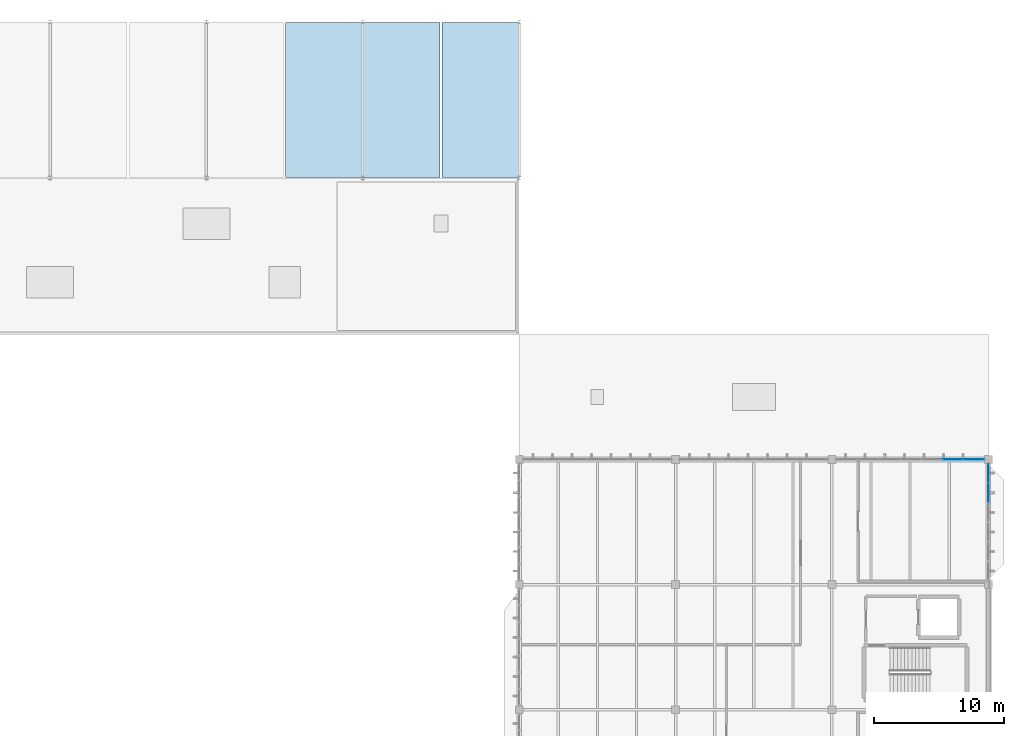
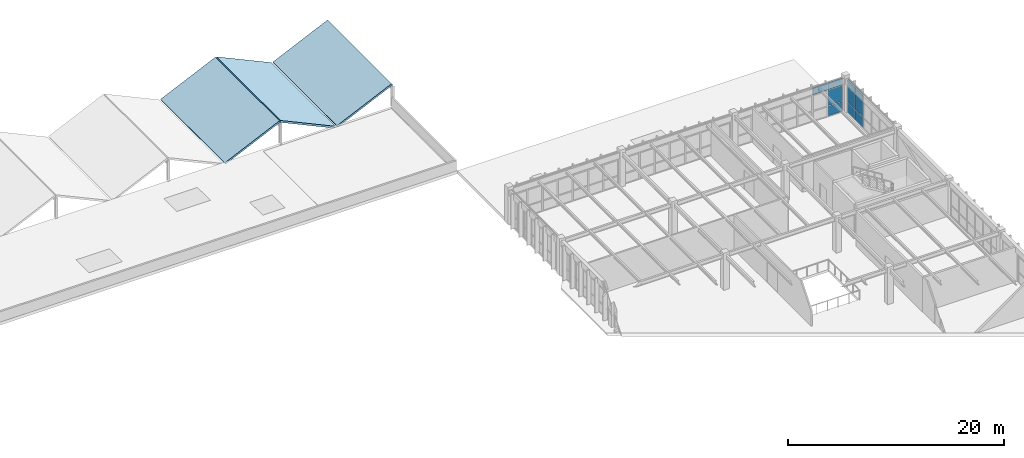
# One storey, part 68 of 83: 10 plates, 3 slabs, 2 elements without a shape of their own.
"""IFC4 building model written with IfcOpenShell, lengths in metres."""

from ifc_helpers import new_model, si_unit, direction, frame, origin, origin_2d, place, context, subcontext, project, spatial, polyline, rectangle, outline, extrude, material, layer, layer_set, type_object, element, aggregate, save


model = new_model("IFC4")

# Units and contexts
model_context = context("Model", 3, precision=1e-05, world=origin(), true_north=direction((0.0, 1.0)))
body_context = subcontext(model_context, "Body", "Model", "MODEL_VIEW")
ifc_project = project(units=[si_unit("LENGTHUNIT", "METRE"), si_unit("AREAUNIT", "SQUARE_METRE"), si_unit("VOLUMEUNIT", "CUBIC_METRE"), si_unit("PLANEANGLEUNIT", "RADIAN"), si_unit("MASSUNIT", "GRAM", prefix="KILO")], contexts=[model_context])

# Site, building, storey
site_placement = place(None, origin())
site = spatial("IfcSite", under=ifc_project, at=site_placement, CompositionType="ELEMENT")
building_placement = place(site_placement, origin())
building = spatial("IfcBuilding", under=site, at=building_placement, Name="Pandanus Reach Market Hall", CompositionType="ELEMENT")
storey_placement = place(building_placement, frame((0.0, 0.0, 10.199951171875)))
storey = spatial("IfcBuildingStorey", under=building, at=storey_placement, Name="L02", CompositionType="ELEMENT", Elevation=10.199951171875)

# Curtain wall, plates
ifc_material_1 = material(Name="Bronze anodised aluminium and low-E glass", Category="aluminium")
ifc_layer_1 = layer(ifc_material_1, 0.159912109375, Name="CW-31")
ifc_layer_set_1 = layer_set([ifc_layer_1], Name="Bronze anodised aluminium and low-E glass")
curtain_wall_type_1 = type_object("IfcCurtainWallType", Name="CW-31", PredefinedType="NOTDEFINED", material=ifc_layer_set_1)
curtain_wall_1_placement = place(storey_placement, origin())
curtain_wall_1 = element("IfcCurtainWall", 1, at=curtain_wall_1_placement, inside=storey, type_object=curtain_wall_type_1, Name="Glazed curtain wall CW-31 CW-0104", PredefinedType="NOTDEFINED")
ifc_material_2 = material(Name="Solar-control double glazing", Category="glass")
ifc_layer_2 = layer(ifc_material_2, 0.028076171875, Name="CW-P1")
ifc_layer_set_2 = layer_set([ifc_layer_2], Name="Solar-control double glazing")
plate_type = type_object("IfcPlateType", Name="CW-P1", PredefinedType="CURTAIN_PANEL", material=ifc_layer_set_2)
plate_1_placement = place(storey_placement, frame((177.257080078125, 86.39990234375, 3.03271484375), z_axis=(0.0, 0.0, 1.0), x_axis=(1.0, 0.0, 0.0)))
plate_1 = element("IfcPlate", 2, at=plate_1_placement, type_object=plate_type, Name="CW-31 panel 6.3", PredefinedType="CURTAIN_PANEL", context=body_context, shape_type="SweptSolid", body=[
    extrude(rectangle(XDim=1.5634765625, YDim=0.028076171875, at=origin_2d()), origin(), (0.0, 0.0, 1.0), 0.802490234375),
])
plate_2_placement = place(storey_placement, frame((178.869384765625, 86.39990234375, 0.06494140625), z_axis=(0.0, 0.0, 1.0), x_axis=(1.0, 0.0, 0.0)))
plate_2 = element("IfcPlate", 3, at=plate_2_placement, type_object=plate_type, Name="CW-31 panel 7.1", PredefinedType="CURTAIN_PANEL", context=body_context, shape_type="SweptSolid", body=[
    extrude(rectangle(XDim=1.531005859375, YDim=0.028076171875, at=origin_2d()), origin(), (0.0, 0.0, 1.0), 1.1025390625),
])
plate_3_placement = place(storey_placement, frame((178.869384765625, 86.39990234375, 1.232421875), z_axis=(0.0, 0.0, 1.0), x_axis=(1.0, 0.0, 0.0)))
plate_3 = element("IfcPlate", 4, at=plate_3_placement, type_object=plate_type, Name="CW-31 panel 7.2", PredefinedType="CURTAIN_PANEL", context=body_context, shape_type="SweptSolid", body=[
    extrude(rectangle(XDim=1.531005859375, YDim=0.028076171875, at=origin_2d()), origin(), (0.0, 0.0, 1.0), 1.735107421875),
])
plate_4_placement = place(storey_placement, frame((178.869384765625, 86.39990234375, 3.03271484375), z_axis=(0.0, 0.0, 1.0), x_axis=(1.0, 0.0, 0.0)))
plate_4 = element("IfcPlate", 5, at=plate_4_placement, type_object=plate_type, Name="CW-31 panel 7.3", PredefinedType="CURTAIN_PANEL", context=body_context, shape_type="SweptSolid", body=[
    extrude(rectangle(XDim=1.531005859375, YDim=0.028076171875, at=origin_2d()), origin(), (0.0, 0.0, 1.0), 0.802490234375),
])
aggregate(curtain_wall_1, [plate_1, plate_2, plate_3, plate_4])

ifc_layer_3 = layer(ifc_material_1, 0.159912109375, Name="CW-32")
ifc_layer_set_3 = layer_set([ifc_layer_3], Name="Bronze anodised aluminium and low-E glass")
curtain_wall_type_2 = type_object("IfcCurtainWallType", Name="CW-32", PredefinedType="NOTDEFINED", material=ifc_layer_set_3)
curtain_wall_2_placement = place(storey_placement, origin())
curtain_wall_2 = element("IfcCurtainWall", 6, at=curtain_wall_2_placement, inside=storey, type_object=curtain_wall_type_2, Name="Glazed curtain wall CW-32 CW-0108", PredefinedType="NOTDEFINED")
plate_5_placement = place(storey_placement, frame((180.0, 83.85009765625, 0.06494140625), z_axis=(0.0, 0.0, 1.0), x_axis=(0.0, 1.0, 0.0)))
plate_5 = element("IfcPlate", 7, at=plate_5_placement, type_object=plate_type, Name="CW-32 panel 5.1", PredefinedType="CURTAIN_PANEL", context=body_context, shape_type="SweptSolid", body=[
    extrude(rectangle(XDim=1.43505859375, YDim=0.028076171875, at=origin_2d()), origin(), (0.0, 0.0, 1.0), 1.1025390625),
])
plate_6_placement = place(storey_placement, frame((180.0, 83.85009765625, 1.232421875), z_axis=(0.0, 0.0, 1.0), x_axis=(0.0, 1.0, 0.0)))
plate_6 = element("IfcPlate", 8, at=plate_6_placement, type_object=plate_type, Name="CW-32 panel 5.2", PredefinedType="CURTAIN_PANEL", context=body_context, shape_type="SweptSolid", body=[
    extrude(rectangle(XDim=1.43505859375, YDim=0.028076171875, at=origin_2d()), origin(), (0.0, 0.0, 1.0), 1.735107421875),
])
plate_7_placement = place(storey_placement, frame((180.0, 83.85009765625, 3.03271484375), z_axis=(0.0, 0.0, 1.0), x_axis=(0.0, 1.0, 0.0)))
plate_7 = element("IfcPlate", 9, at=plate_7_placement, type_object=plate_type, Name="CW-32 panel 5.3", PredefinedType="CURTAIN_PANEL", context=body_context, shape_type="SweptSolid", body=[
    extrude(rectangle(XDim=1.43505859375, YDim=0.028076171875, at=origin_2d()), origin(), (0.0, 0.0, 1.0), 0.802490234375),
])
plate_8_placement = place(storey_placement, frame((180.0, 85.333740234375, 0.06494140625), z_axis=(0.0, 0.0, 1.0), x_axis=(0.0, 1.0, 0.0)))
plate_8 = element("IfcPlate", 10, at=plate_8_placement, type_object=plate_type, Name="CW-32 panel 6.1", PredefinedType="CURTAIN_PANEL", context=body_context, shape_type="SweptSolid", body=[
    extrude(rectangle(XDim=1.402587890625, YDim=0.028076171875, at=origin_2d()), origin(), (0.0, 0.0, 1.0), 1.1025390625),
])
plate_9_placement = place(storey_placement, frame((180.0, 85.333740234375, 1.232421875), z_axis=(0.0, 0.0, 1.0), x_axis=(0.0, 1.0, 0.0)))
plate_9 = element("IfcPlate", 11, at=plate_9_placement, type_object=plate_type, Name="CW-32 panel 6.2", PredefinedType="CURTAIN_PANEL", context=body_context, shape_type="SweptSolid", body=[
    extrude(rectangle(XDim=1.402587890625, YDim=0.028076171875, at=origin_2d()), origin(), (0.0, 0.0, 1.0), 1.735107421875),
])
plate_10_placement = place(storey_placement, frame((180.0, 85.333740234375, 3.03271484375), z_axis=(0.0, 0.0, 1.0), x_axis=(0.0, 1.0, 0.0)))
plate_10 = element("IfcPlate", 12, at=plate_10_placement, type_object=plate_type, Name="CW-32 panel 6.3", PredefinedType="CURTAIN_PANEL", context=body_context, shape_type="SweptSolid", body=[
    extrude(rectangle(XDim=1.402587890625, YDim=0.028076171875, at=origin_2d()), origin(), (0.0, 0.0, 1.0), 0.802490234375),
])
aggregate(curtain_wall_2, [plate_5, plate_6, plate_7, plate_8, plate_9, plate_10])

# Slabs
ifc_material_3 = material(Name="Concrete N50 (50 MPa)", Category="concrete")
ifc_layer_4 = layer(ifc_material_3, 0.205078125, Name="RF-BFY-205")
ifc_layer_set_4 = layer_set([ifc_layer_4], Name="Concrete N50 (50 MPa)")
slab_type = type_object("IfcSlabType", Name="RF-BFY-205", PredefinedType="ROOF", material=ifc_layer_set_4)
for number, where, z_axis, x_axis, name in (
    (13, (126.080078125, 108.06005859375, -0.159912109375), (-0.419748690861, 0.0, 0.907640367392), (0.907640367392, 0.0, 0.419748690861), "Service hall butterfly shell roof V5W.6E"),
    (14, (132.06005859375, 108.06005859375, 2.550048828125), (0.419748690861, 0.0, 0.907640367392), (0.907640367392, 0.0, -0.419748690861), "Service hall butterfly shell roof V5W.7W"),
    (15, (138.080078125, 108.06005859375, -0.159912109375), (-0.419748690861, 0.0, 0.907640367392), (0.907640367392, 0.0, 0.419748690861), "Service hall butterfly shell roof V5W.7E"),
):
    element("IfcSlab", number, at=place(storey_placement, frame(where, z_axis=z_axis, x_axis=x_axis)), inside=storey, type_object=slab_type, Name=name, PredefinedType="ROOF", context=body_context, shape_type="SweptSolid", body=[
        extrude(outline(polyline([(0.0, 0.0), (6.456151017263916, 0.0), (6.456151017263916, 11.8798828125), (0.0, 11.8798828125), (0.0, 0.0)])), origin(), (0.0, 0.0, -1.0), 0.205078125),
    ])

save(model, "model.ifc")
